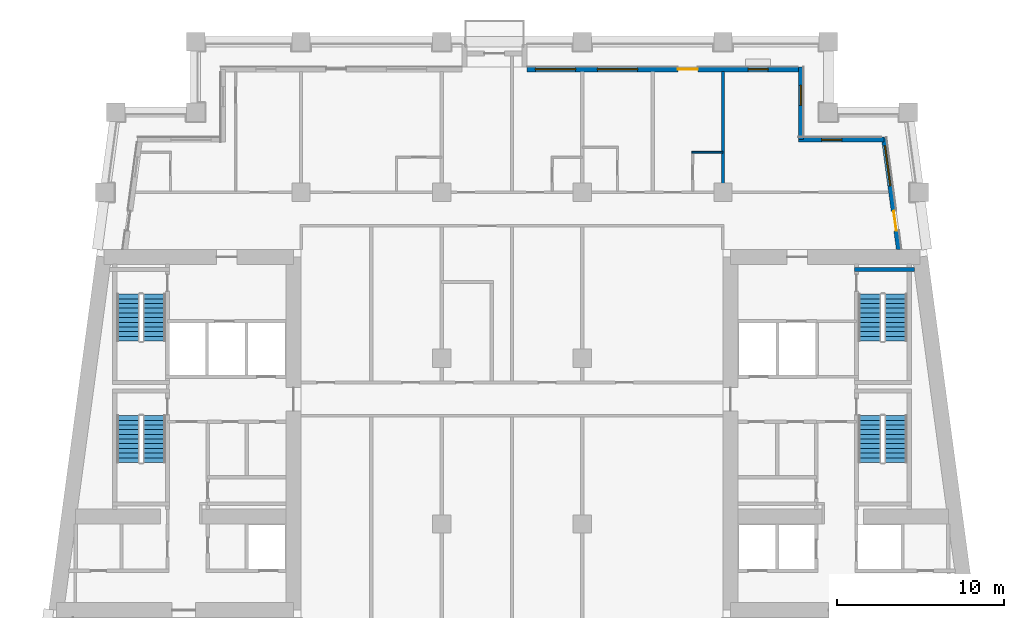
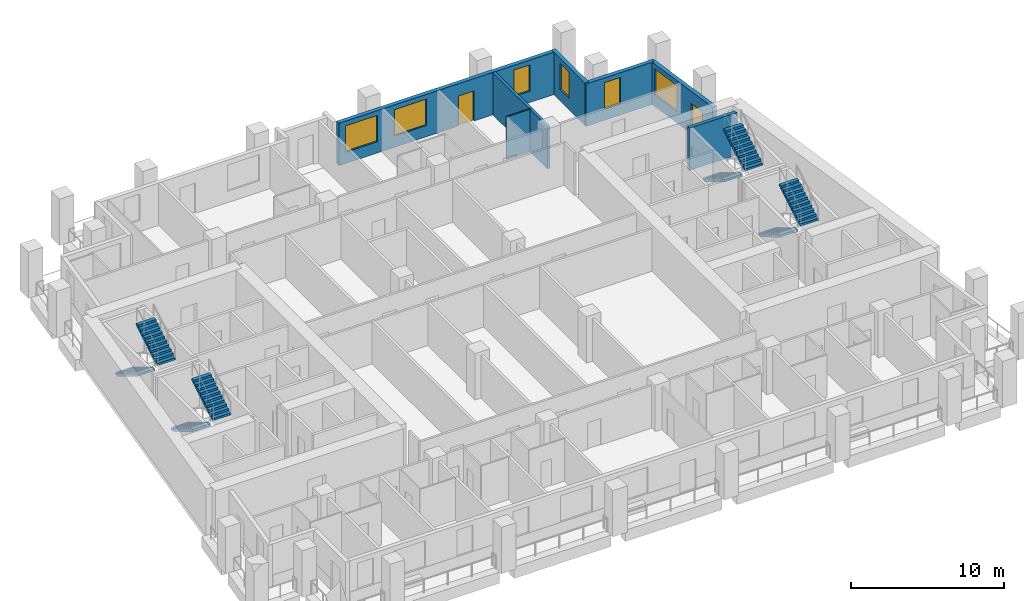
# One storey, part 8 of 13: 8 stair flights, 7 walls, 6 windows, 2 doors, 8 openings, 4 elements without a shape of their own.
"""IFC4 building model written with IfcOpenShell, lengths in metres."""

from ifc_helpers import new_model, si_unit, direction, frame, frame_2d, origin, place, context, subcontext, project, spatial, polyline, rectangle, outline, extrude, material, layer, layer_set, type_object, element, fill, aggregate, save


model = new_model("IFC4")

# Units and contexts
model_context = context("Model", 3, precision=1e-05, world=origin(), true_north=direction((0.0, 1.0)))
body_context = subcontext(model_context, "Body", "Model", "MODEL_VIEW")
ifc_project = project(units=[si_unit("LENGTHUNIT", "METRE"), si_unit("AREAUNIT", "SQUARE_METRE"), si_unit("VOLUMEUNIT", "CUBIC_METRE"), si_unit("PLANEANGLEUNIT", "RADIAN"), si_unit("MASSUNIT", "GRAM", prefix="KILO")], contexts=[model_context])

# Site, building, storey
site_placement = place(None, origin())
site = spatial("IfcSite", under=ifc_project, at=site_placement, CompositionType="ELEMENT")
building_placement = place(site_placement, origin())
building = spatial("IfcBuilding", under=site, at=building_placement, Name="Candeia Pilgrim Tower and Theatre", CompositionType="ELEMENT")
storey_placement = place(building_placement, frame((0.0, 0.0, 177.39990234375)))
storey = spatial("IfcBuildingStorey", under=building, at=storey_placement, Name="L42", CompositionType="ELEMENT", Elevation=177.39990234375)

# Wall, openings, door, window
ifc_material_1 = material(Name="Ceramic block masonry", Category="masonry")
ifc_layer_1 = layer(ifc_material_1, 0.300048828125)
ifc_layer_set_1 = layer_set([ifc_layer_1], Name="EW1 glazing-line wall 300")
wall_type_1 = type_object("IfcWallType", Name="EW1 glazing-line wall 300", PredefinedType="SOLIDWALL", material=ifc_layer_set_1)
wall_1_placement = place(storey_placement, frame((136.50439453125, 132.39990234375, 0.0), z_axis=(0.0, 0.0, 1.0), x_axis=(-0.133399697462, 0.99106231929, 0.0)))
wall_1 = element("IfcWall", 1, at=wall_1_placement, inside=storey, type_object=wall_type_1, Name="External wall L42-3.1", PredefinedType="SOLIDWALL", context=body_context, shape_type="SweptSolid", body=[
    extrude(rectangle(XDim=6.740478515625, YDim=0.300048828125, at=frame_2d((3.3701171875, 0.0))), origin(), (0.0, 0.0, 1.0), 3.380126953125),
])
opening_1_placement = place(wall_1_placement, frame((1.115234375, 0.0, 0.0)))
opening_1 = element("IfcOpeningElement", 2, at=opening_1_placement, cuts=wall_1, Name="Opening L42-ED404", PredefinedType="OPENING", context=body_context, shape_type="SweptSolid", body=[
    extrude(rectangle(XDim=1.199951171875, YDim=2.39990234375, at=frame_2d((0.60009765625, 1.199951171875))), frame((0.0, 0.16015625, 0.0), z_axis=(0.0, -1.0, 0.0), x_axis=(1.0, 0.0, 0.0)), (0.0, 0.0, 1.0), 0.320068359375),
])
opening_2_placement = place(wall_1_placement, frame((3.83544921875, 0.0, 0.89990234375)))
opening_2 = element("IfcOpeningElement", 3, at=opening_2_placement, cuts=wall_1, Name="Opening W-A", PredefinedType="OPENING", context=body_context, shape_type="SweptSolid", body=[
    extrude(rectangle(XDim=2.39990234375, YDim=2.10009765625, at=frame_2d((1.199951171875, 1.050048828125))), frame((0.0, 0.16015625, 0.0), z_axis=(0.0, -1.0, 0.0), x_axis=(1.0, 0.0, 0.0)), (0.0, 0.0, 1.0), 0.320068359375),
])
ifc_material_2 = material(Name="Aluminium framed glazed door", Category="aluminium")
door_type = type_object("IfcDoorType", Name="Loggia door 1200x2400", OperationType="DOUBLE_DOOR_SINGLE_SWING", PredefinedType="DOOR", material=ifc_material_2)
door_1_placement = place(opening_1_placement, origin())
door_1 = element("IfcDoor", 4, at=door_1_placement, inside=storey, type_object=door_type, Name="Loggia door L42-ED404", OperationType="DOUBLE_DOOR_SINGLE_SWING", OverallHeight=2.39990234375, OverallWidth=1.199951171875, PredefinedType="DOOR", context=body_context, shape_type="SweptSolid", body=[
    extrude(rectangle(XDim=1.199951171875, YDim=2.39990234375, at=frame_2d((0.60009765625, 1.199951171875))), frame((0.0, 0.02490234375, 0.0), z_axis=(0.0, -1.0, 0.0), x_axis=(1.0, 0.0, 0.0)), (0.0, 0.0, 1.0), 0.050048828125),
])
fill(opening_1, door_1)
ifc_material_3 = material(Name="Aluminium framed double glazing", Category="aluminium")
window_type_1 = type_object("IfcWindowType", Name="W-A window 2400x2100", PartitioningType="DOUBLE_PANEL_VERTICAL", PredefinedType="WINDOW", material=ifc_material_3)
window_1_placement = place(opening_2_placement, origin())
window_1 = element("IfcWindow", 5, at=window_1_placement, inside=storey, type_object=window_type_1, Name="Window W-A L42", OverallHeight=2.10009765625, OverallWidth=2.39990234375, PartitioningType="SINGLE_PANEL", PredefinedType="WINDOW", context=body_context, shape_type="SweptSolid", body=[
    extrude(rectangle(XDim=2.39990234375, YDim=2.10009765625, at=frame_2d((1.199951171875, 1.050048828125))), frame((0.0, 0.030029296875, 0.0), z_axis=(0.0, -1.0, 0.0), x_axis=(1.0, 0.0, 0.0)), (0.0, 0.0, 1.0), 0.06005859375),
])
fill(opening_2, window_1)

# Wall, opening, window
wall_2_placement = place(storey_placement, frame((135.62255859375, 138.949951171875, 0.0), z_axis=(0.0, 0.0, 1.0), x_axis=(-1.0, 0.0, 0.0)))
wall_2 = element("IfcWall", 6, at=wall_2_placement, inside=storey, type_object=wall_type_1, Name="External wall L42-4.0", PredefinedType="SOLIDWALL", context=body_context, shape_type="SweptSolid", body=[
    extrude(rectangle(XDim=5.12255859375, YDim=0.300048828125, at=frame_2d((2.561279296875, 0.0))), origin(), (0.0, 0.0, 1.0), 3.380126953125),
])
opening_3_placement = place(wall_2_placement, frame((2.522705078125, 0.0, 0.89990234375)))
opening_3 = element("IfcOpeningElement", 7, at=opening_3_placement, cuts=wall_2, Name="Opening W-B", PredefinedType="OPENING", context=body_context, shape_type="SweptSolid", body=[
    extrude(rectangle(XDim=1.199951171875, YDim=2.10009765625, at=frame_2d((0.60009765625, 1.050048828125))), frame((0.0, 0.16015625, 0.0), z_axis=(0.0, -1.0, 0.0), x_axis=(1.0, 0.0, 0.0)), (0.0, 0.0, 1.0), 0.320068359375),
])
window_type_2 = type_object("IfcWindowType", Name="W-B window 1200x2100", PartitioningType="SINGLE_PANEL", PredefinedType="WINDOW", material=ifc_material_3)
window_2_placement = place(opening_3_placement, origin())
window_2 = element("IfcWindow", 8, at=window_2_placement, inside=storey, type_object=window_type_2, Name="Window W-B L42", OverallHeight=2.10009765625, OverallWidth=1.199951171875, PartitioningType="SINGLE_PANEL", PredefinedType="WINDOW", context=body_context, shape_type="SweptSolid", body=[
    extrude(rectangle(XDim=1.199951171875, YDim=2.10009765625, at=frame_2d((0.60009765625, 1.050048828125))), frame((0.0, 0.030029296875, 0.0), z_axis=(0.0, -1.0, 0.0), x_axis=(1.0, 0.0, 0.0)), (0.0, 0.0, 1.0), 0.06005859375),
])
fill(opening_3, window_2)

wall_3_placement = place(storey_placement, frame((130.64990234375, 138.949951171875, 0.0), z_axis=(0.0, 0.0, 1.0), x_axis=(0.0, 1.0, 0.0)))
wall_3 = element("IfcWall", 9, at=wall_3_placement, inside=storey, type_object=wall_type_1, Name="External wall L42-5.0", PredefinedType="SOLIDWALL", context=body_context, shape_type="SweptSolid", body=[
    extrude(rectangle(XDim=4.35009765625, YDim=0.300048828125, at=frame_2d((2.175048828125, 0.0))), origin(), (0.0, 0.0, 1.0), 3.380126953125),
])
opening_4_placement = place(wall_3_placement, frame((2.050048828125, 0.0, 0.89990234375)))
opening_4 = element("IfcOpeningElement", 10, at=opening_4_placement, cuts=wall_3, Name="Opening W-B", PredefinedType="OPENING", context=body_context, shape_type="SweptSolid", body=[
    extrude(rectangle(XDim=1.199951171875, YDim=2.10009765625, at=frame_2d((0.60009765625, 1.050048828125))), frame((0.0, 0.16015625, 0.0), z_axis=(0.0, -1.0, 0.0), x_axis=(1.0, 0.0, 0.0)), (0.0, 0.0, 1.0), 0.320068359375),
])
window_3_placement = place(opening_4_placement, origin())
window_3 = element("IfcWindow", 11, at=window_3_placement, inside=storey, type_object=window_type_2, Name="Window W-B L42", OverallHeight=2.10009765625, OverallWidth=1.199951171875, PartitioningType="SINGLE_PANEL", PredefinedType="WINDOW", context=body_context, shape_type="SweptSolid", body=[
    extrude(rectangle(XDim=1.199951171875, YDim=2.10009765625, at=frame_2d((0.60009765625, 1.050048828125))), frame((0.0, 0.030029296875, 0.0), z_axis=(0.0, -1.0, 0.0), x_axis=(1.0, 0.0, 0.0)), (0.0, 0.0, 1.0), 0.06005859375),
])
fill(opening_4, window_3)

# Wall, openings, door, windows
wall_4_placement = place(storey_placement, frame((130.64990234375, 143.14990234375, 0.0), z_axis=(0.0, 0.0, 1.0), x_axis=(-1.0, 0.0, 0.0)))
wall_4 = element("IfcWall", 12, at=wall_4_placement, inside=storey, type_object=wall_type_1, Name="External wall L42-6.0", PredefinedType="SOLIDWALL", context=body_context, shape_type="SweptSolid", body=[
    extrude(rectangle(XDim=16.349853515625, YDim=0.300048828125, at=frame_2d((8.1748046875, 0.0))), origin(), (0.0, 0.0, 1.0), 3.380126953125),
])
opening_5_placement = place(wall_4_placement, frame((1.949951171875, 0.0, 0.89990234375)))
opening_5 = element("IfcOpeningElement", 13, at=opening_5_placement, cuts=wall_4, Name="Opening W-B", PredefinedType="OPENING", context=body_context, shape_type="SweptSolid", body=[
    extrude(rectangle(XDim=1.199951171875, YDim=2.10009765625, at=frame_2d((0.60009765625, 1.050048828125))), frame((0.0, 0.16015625, 0.0), z_axis=(0.0, -1.0, 0.0), x_axis=(1.0, 0.0, 0.0)), (0.0, 0.0, 1.0), 0.320068359375),
])
opening_6_placement = place(wall_4_placement, frame((6.14990234375, 0.0, 0.0)))
opening_6 = element("IfcOpeningElement", 14, at=opening_6_placement, cuts=wall_4, Name="Opening L42-ED405", PredefinedType="OPENING", context=body_context, shape_type="SweptSolid", body=[
    extrude(rectangle(XDim=1.199951171875, YDim=2.39990234375, at=frame_2d((0.60009765625, 1.199951171875))), frame((0.0, 0.16015625, 0.0), z_axis=(0.0, -1.0, 0.0), x_axis=(1.0, 0.0, 0.0)), (0.0, 0.0, 1.0), 0.320068359375),
])
opening_7_placement = place(wall_4_placement, frame((9.75, 0.0, 0.89990234375)))
opening_7 = element("IfcOpeningElement", 15, at=opening_7_placement, cuts=wall_4, Name="Opening W-A", PredefinedType="OPENING", context=body_context, shape_type="SweptSolid", body=[
    extrude(rectangle(XDim=2.39990234375, YDim=2.10009765625, at=frame_2d((1.199951171875, 1.050048828125))), frame((0.0, 0.16015625, 0.0), z_axis=(0.0, -1.0, 0.0), x_axis=(1.0, 0.0, 0.0)), (0.0, 0.0, 1.0), 0.320068359375),
])
opening_8_placement = place(wall_4_placement, frame((13.449951171875, 0.0, 0.89990234375)))
opening_8 = element("IfcOpeningElement", 16, at=opening_8_placement, cuts=wall_4, Name="Opening W-A", PredefinedType="OPENING", context=body_context, shape_type="SweptSolid", body=[
    extrude(rectangle(XDim=2.39990234375, YDim=2.10009765625, at=frame_2d((1.199951171875, 1.050048828125))), frame((0.0, 0.16015625, 0.0), z_axis=(0.0, -1.0, 0.0), x_axis=(1.0, 0.0, 0.0)), (0.0, 0.0, 1.0), 0.320068359375),
])
door_2_placement = place(opening_6_placement, origin())
door_2 = element("IfcDoor", 17, at=door_2_placement, inside=storey, type_object=door_type, Name="Loggia door L42-ED405", OperationType="DOUBLE_DOOR_SINGLE_SWING", OverallHeight=2.39990234375, OverallWidth=1.199951171875, PredefinedType="DOOR", context=body_context, shape_type="SweptSolid", body=[
    extrude(rectangle(XDim=1.199951171875, YDim=2.39990234375, at=frame_2d((0.60009765625, 1.199951171875))), frame((0.0, 0.02490234375, 0.0), z_axis=(0.0, -1.0, 0.0), x_axis=(1.0, 0.0, 0.0)), (0.0, 0.0, 1.0), 0.050048828125),
])
fill(opening_6, door_2)
window_4_placement = place(opening_7_placement, origin())
window_4 = element("IfcWindow", 18, at=window_4_placement, inside=storey, type_object=window_type_1, Name="Window W-A L42", OverallHeight=2.10009765625, OverallWidth=2.39990234375, PartitioningType="SINGLE_PANEL", PredefinedType="WINDOW", context=body_context, shape_type="SweptSolid", body=[
    extrude(rectangle(XDim=2.39990234375, YDim=2.10009765625, at=frame_2d((1.199951171875, 1.050048828125))), frame((0.0, 0.030029296875, 0.0), z_axis=(0.0, -1.0, 0.0), x_axis=(1.0, 0.0, 0.0)), (0.0, 0.0, 1.0), 0.06005859375),
])
fill(opening_7, window_4)
window_5_placement = place(opening_8_placement, origin())
window_5 = element("IfcWindow", 19, at=window_5_placement, inside=storey, type_object=window_type_1, Name="Window W-A L42", OverallHeight=2.10009765625, OverallWidth=2.39990234375, PartitioningType="SINGLE_PANEL", PredefinedType="WINDOW", context=body_context, shape_type="SweptSolid", body=[
    extrude(rectangle(XDim=2.39990234375, YDim=2.10009765625, at=frame_2d((1.199951171875, 1.050048828125))), frame((0.0, 0.030029296875, 0.0), z_axis=(0.0, -1.0, 0.0), x_axis=(1.0, 0.0, 0.0)), (0.0, 0.0, 1.0), 0.06005859375),
])
fill(opening_8, window_5)
window_6_placement = place(opening_5_placement, origin())
window_6 = element("IfcWindow", 20, at=window_6_placement, inside=storey, type_object=window_type_2, Name="Window W-B L42", OverallHeight=2.10009765625, OverallWidth=1.199951171875, PartitioningType="SINGLE_PANEL", PredefinedType="WINDOW", context=body_context, shape_type="SweptSolid", body=[
    extrude(rectangle(XDim=1.199951171875, YDim=2.10009765625, at=frame_2d((0.60009765625, 1.050048828125))), frame((0.0, 0.030029296875, 0.0), z_axis=(0.0, -1.0, 0.0), x_axis=(1.0, 0.0, 0.0)), (0.0, 0.0, 1.0), 0.06005859375),
])
fill(opening_5, window_6)

# Walls
ifc_material_4 = material(Name="Gypsum board partition on steel studs", Category="steel")
ifc_layer_2 = layer(ifc_material_4, 0.10009765625)
ifc_layer_set_2 = layer_set([ifc_layer_2], Name="PW-100 room partition")
wall_type_2 = type_object("IfcWallType", Name="PW-100 room partition", PredefinedType="PARTITIONING", material=ifc_layer_set_2)
wall_5_placement = place(storey_placement, frame((124.14990234375, 138.199951171875, 0.0), z_axis=(0.0, 0.0, 1.0), x_axis=(1.0, 0.0, 0.0)))
element("IfcWall", 21, at=wall_5_placement, inside=storey, type_object=wall_type_2, Name="Room partition L42-049", PredefinedType="PARTITIONING", context=body_context, shape_type="SweptSolid", body=[
    extrude(rectangle(XDim=1.85009765625, YDim=0.10009765625, at=frame_2d((0.925048828125, 0.0))), origin(), (0.0, 0.0, 1.0), 3.380126953125),
])
ifc_layer_3 = layer(ifc_material_4, 0.199951171875)
ifc_layer_set_3 = layer_set([ifc_layer_3], Name="PW-200 party wall")
wall_type_3 = type_object("IfcWallType", Name="PW-200 party wall", PredefinedType="PARTITIONING", material=ifc_layer_set_3)
wall_6_placement = place(storey_placement, frame((126.0, 135.875, 0.0), z_axis=(0.0, 0.0, 1.0), x_axis=(0.0, 1.0, 0.0)))
element("IfcWall", 22, at=wall_6_placement, inside=storey, type_object=wall_type_3, Name="Party wall L42-105", PredefinedType="PARTITIONING", context=body_context, shape_type="SweptSolid", body=[
    extrude(rectangle(XDim=7.135009765625, YDim=0.199951171875, at=frame_2d((3.5673828125, 0.0))), origin(), (0.0, 0.0, 1.0), 3.380126953125),
])
ifc_material_5 = material(Name="Concrete C40/50", Category="concrete")
ifc_layer_4 = layer(ifc_material_5, 0.25)
ifc_layer_set_4 = layer_set([ifc_layer_4], Name="SW-250 stair wall")
wall_type_4 = type_object("IfcWallType", Name="SW-250 stair wall", PredefinedType="PARTITIONING", material=ifc_layer_set_4)
wall_7_placement = place(storey_placement, frame((133.847900390625, 131.199951171875, 0.0), z_axis=(0.0, 0.0, 1.0), x_axis=(1.0, 0.0, 0.0)))
element("IfcWall", 23, at=wall_7_placement, inside=storey, type_object=wall_type_4, Name="Stair wall L42-043", PredefinedType="PARTITIONING", context=body_context, shape_type="SweptSolid", body=[
    extrude(rectangle(XDim=3.604736328125, YDim=0.25, at=frame_2d((1.80224609375, 0.0))), origin(), (0.0, 0.0, 1.0), 3.380126953125),
])

# Stair, stair flights
stair_type = type_object("IfcStairType", Name="ST-TWR dog-leg escape stair", PredefinedType="HALF_TURN_STAIR", material=ifc_material_5)
stair_1_placement = place(storey_placement, origin())
stair_1 = element("IfcStair", 24, at=stair_1_placement, inside=storey, type_object=stair_type, Name="L42 Escape stair ST1", PredefinedType="HALF_TURN_STAIR")
stair_flight_type = type_object("IfcStairFlightType", Name="SFL-RC stair flight", PredefinedType="STRAIGHT", material=ifc_material_5)
stair_flight_1_placement = place(storey_placement, frame((90.47705078125, 122.47509765625, 0.0), z_axis=(0.0, 0.0, 1.0), x_axis=(0.0, -1.0, 0.0)))
stair_flight_1 = element("IfcStairFlight", 25, at=stair_flight_1_placement, type_object=stair_flight_type, Name="ST1 flight 1", NumberOfRisers=11, NumberOfTreads=10, PredefinedType="STRAIGHT", RiserHeight=0.168181818, TreadLength=0.28, context=body_context, shape_type="SweptSolid", body=[
    extrude(outline(polyline([(0.0, 0.0), (0.0, 0.168212890625), (0.280029296875, 0.168212890625), (0.280029296875, 0.33642578125), (0.56005859375, 0.33642578125), (0.56005859375, 0.504638671875), (0.840087890625, 0.504638671875), (0.840087890625, 0.672607421875), (1.1201171875, 0.672607421875), (1.1201171875, 0.8408203125), (1.39990234375, 0.8408203125), (1.39990234375, 1.009033203125), (1.679931640625, 1.009033203125), (1.679931640625, 1.17724609375), (1.9599609375, 1.17724609375), (1.9599609375, 1.345458984375), (2.239990234375, 1.345458984375), (2.239990234375, 1.513671875), (2.52001953125, 1.513671875), (2.52001953125, 1.681884765625), (2.800048828125, 1.681884765625), (2.800048828125, 1.85009765625), (2.800048828125, 1.5068359375), (0.291015625, 0.0), (0.0, 0.0)])), frame((0.0, 0.675048828125, 0.0), z_axis=(0.0, -1.0, 0.0), x_axis=(1.0, 0.0, 0.0)), (0.0, 0.0, 1.0), 1.35009765625),
])
stair_flight_2_placement = place(storey_placement, frame((92.027099609375, 119.675048828125, 1.85009765625), z_axis=(0.0, 0.0, 1.0), x_axis=(0.0, 1.0, 0.0)))
stair_flight_2 = element("IfcStairFlight", 26, at=stair_flight_2_placement, type_object=stair_flight_type, Name="ST1 flight 2", NumberOfRisers=11, NumberOfTreads=10, PredefinedType="STRAIGHT", RiserHeight=0.168181818, TreadLength=0.28, context=body_context, shape_type="SweptSolid", body=[
    extrude(outline(polyline([(0.0, 0.0), (0.0, 0.168212890625), (0.280029296875, 0.168212890625), (0.280029296875, 0.33642578125), (0.56005859375, 0.33642578125), (0.56005859375, 0.504638671875), (0.840087890625, 0.504638671875), (0.840087890625, 0.672607421875), (1.1201171875, 0.672607421875), (1.1201171875, 0.8408203125), (1.39990234375, 0.8408203125), (1.39990234375, 1.009033203125), (1.679931640625, 1.009033203125), (1.679931640625, 1.17724609375), (1.9599609375, 1.17724609375), (1.9599609375, 1.345458984375), (2.239990234375, 1.345458984375), (2.239990234375, 1.513671875), (2.52001953125, 1.513671875), (2.52001953125, 1.681884765625), (2.800048828125, 1.681884765625), (2.800048828125, 1.85009765625), (2.800048828125, 1.5068359375), (0.291015625, 0.0), (0.0, 0.0)])), frame((0.0, 0.675048828125, 0.0), z_axis=(0.0, -1.0, 0.0), x_axis=(1.0, 0.0, 0.0)), (0.0, 0.0, 1.0), 1.35009765625),
])
aggregate(stair_1, [stair_flight_1, stair_flight_2])

stair_2_placement = place(storey_placement, origin())
stair_2 = element("IfcStair", 27, at=stair_2_placement, inside=storey, type_object=stair_type, Name="L42 Escape stair ST2", PredefinedType="HALF_TURN_STAIR")
stair_flight_3_placement = place(storey_placement, frame((90.47705078125, 129.72509765625, 0.0), z_axis=(0.0, 0.0, 1.0), x_axis=(0.0, -1.0, 0.0)))
stair_flight_3 = element("IfcStairFlight", 28, at=stair_flight_3_placement, type_object=stair_flight_type, Name="ST2 flight 1", NumberOfRisers=11, NumberOfTreads=10, PredefinedType="STRAIGHT", RiserHeight=0.168181818, TreadLength=0.28, context=body_context, shape_type="SweptSolid", body=[
    extrude(outline(polyline([(0.0, 0.0), (0.0, 0.168212890625), (0.280029296875, 0.168212890625), (0.280029296875, 0.33642578125), (0.56005859375, 0.33642578125), (0.56005859375, 0.504638671875), (0.840087890625, 0.504638671875), (0.840087890625, 0.672607421875), (1.1201171875, 0.672607421875), (1.1201171875, 0.8408203125), (1.39990234375, 0.8408203125), (1.39990234375, 1.009033203125), (1.679931640625, 1.009033203125), (1.679931640625, 1.17724609375), (1.9599609375, 1.17724609375), (1.9599609375, 1.345458984375), (2.239990234375, 1.345458984375), (2.239990234375, 1.513671875), (2.52001953125, 1.513671875), (2.52001953125, 1.681884765625), (2.800048828125, 1.681884765625), (2.800048828125, 1.85009765625), (2.800048828125, 1.5068359375), (0.291015625, 0.0), (0.0, 0.0)])), frame((0.0, 0.675048828125, 0.0), z_axis=(0.0, -1.0, 0.0), x_axis=(1.0, 0.0, 0.0)), (0.0, 0.0, 1.0), 1.35009765625),
])
stair_flight_4_placement = place(storey_placement, frame((92.027099609375, 126.925048828125, 1.85009765625), z_axis=(0.0, 0.0, 1.0), x_axis=(0.0, 1.0, 0.0)))
stair_flight_4 = element("IfcStairFlight", 29, at=stair_flight_4_placement, type_object=stair_flight_type, Name="ST2 flight 2", NumberOfRisers=11, NumberOfTreads=10, PredefinedType="STRAIGHT", RiserHeight=0.168181818, TreadLength=0.28, context=body_context, shape_type="SweptSolid", body=[
    extrude(outline(polyline([(0.0, 0.0), (0.0, 0.168212890625), (0.280029296875, 0.168212890625), (0.280029296875, 0.33642578125), (0.56005859375, 0.33642578125), (0.56005859375, 0.504638671875), (0.840087890625, 0.504638671875), (0.840087890625, 0.672607421875), (1.1201171875, 0.672607421875), (1.1201171875, 0.8408203125), (1.39990234375, 0.8408203125), (1.39990234375, 1.009033203125), (1.679931640625, 1.009033203125), (1.679931640625, 1.17724609375), (1.9599609375, 1.17724609375), (1.9599609375, 1.345458984375), (2.239990234375, 1.345458984375), (2.239990234375, 1.513671875), (2.52001953125, 1.513671875), (2.52001953125, 1.681884765625), (2.800048828125, 1.681884765625), (2.800048828125, 1.85009765625), (2.800048828125, 1.5068359375), (0.291015625, 0.0), (0.0, 0.0)])), frame((0.0, 0.675048828125, 0.0), z_axis=(0.0, -1.0, 0.0), x_axis=(1.0, 0.0, 0.0)), (0.0, 0.0, 1.0), 1.35009765625),
])
aggregate(stair_2, [stair_flight_3, stair_flight_4])

stair_3_placement = place(storey_placement, origin())
stair_3 = element("IfcStair", 30, at=stair_3_placement, inside=storey, type_object=stair_type, Name="L42 Escape stair ST3", PredefinedType="HALF_TURN_STAIR")
stair_flight_5_placement = place(storey_placement, frame((134.77294921875, 122.47509765625, 0.0), z_axis=(0.0, 0.0, 1.0), x_axis=(0.0, -1.0, 0.0)))
stair_flight_5 = element("IfcStairFlight", 31, at=stair_flight_5_placement, type_object=stair_flight_type, Name="ST3 flight 1", NumberOfRisers=11, NumberOfTreads=10, PredefinedType="STRAIGHT", RiserHeight=0.168181818, TreadLength=0.28, context=body_context, shape_type="SweptSolid", body=[
    extrude(outline(polyline([(0.0, 0.0), (0.0, 0.168212890625), (0.280029296875, 0.168212890625), (0.280029296875, 0.33642578125), (0.56005859375, 0.33642578125), (0.56005859375, 0.504638671875), (0.840087890625, 0.504638671875), (0.840087890625, 0.672607421875), (1.1201171875, 0.672607421875), (1.1201171875, 0.8408203125), (1.39990234375, 0.8408203125), (1.39990234375, 1.009033203125), (1.679931640625, 1.009033203125), (1.679931640625, 1.17724609375), (1.9599609375, 1.17724609375), (1.9599609375, 1.345458984375), (2.239990234375, 1.345458984375), (2.239990234375, 1.513671875), (2.52001953125, 1.513671875), (2.52001953125, 1.681884765625), (2.800048828125, 1.681884765625), (2.800048828125, 1.85009765625), (2.800048828125, 1.5068359375), (0.291015625, 0.0), (0.0, 0.0)])), frame((0.0, 0.675048828125, 0.0), z_axis=(0.0, -1.0, 0.0), x_axis=(1.0, 0.0, 0.0)), (0.0, 0.0, 1.0), 1.35009765625),
])
stair_flight_6_placement = place(storey_placement, frame((136.322998046875, 119.675048828125, 1.85009765625), z_axis=(0.0, 0.0, 1.0), x_axis=(0.0, 1.0, 0.0)))
stair_flight_6 = element("IfcStairFlight", 32, at=stair_flight_6_placement, type_object=stair_flight_type, Name="ST3 flight 2", NumberOfRisers=11, NumberOfTreads=10, PredefinedType="STRAIGHT", RiserHeight=0.168181818, TreadLength=0.28, context=body_context, shape_type="SweptSolid", body=[
    extrude(outline(polyline([(0.0, 0.0), (0.0, 0.168212890625), (0.280029296875, 0.168212890625), (0.280029296875, 0.33642578125), (0.56005859375, 0.33642578125), (0.56005859375, 0.504638671875), (0.840087890625, 0.504638671875), (0.840087890625, 0.672607421875), (1.1201171875, 0.672607421875), (1.1201171875, 0.8408203125), (1.39990234375, 0.8408203125), (1.39990234375, 1.009033203125), (1.679931640625, 1.009033203125), (1.679931640625, 1.17724609375), (1.9599609375, 1.17724609375), (1.9599609375, 1.345458984375), (2.239990234375, 1.345458984375), (2.239990234375, 1.513671875), (2.52001953125, 1.513671875), (2.52001953125, 1.681884765625), (2.800048828125, 1.681884765625), (2.800048828125, 1.85009765625), (2.800048828125, 1.5068359375), (0.291015625, 0.0), (0.0, 0.0)])), frame((0.0, 0.675048828125, 0.0), z_axis=(0.0, -1.0, 0.0), x_axis=(1.0, 0.0, 0.0)), (0.0, 0.0, 1.0), 1.35009765625),
])
aggregate(stair_3, [stair_flight_5, stair_flight_6])

stair_4_placement = place(storey_placement, origin())
stair_4 = element("IfcStair", 33, at=stair_4_placement, inside=storey, type_object=stair_type, Name="L42 Escape stair ST4", PredefinedType="HALF_TURN_STAIR")
stair_flight_7_placement = place(storey_placement, frame((134.77294921875, 129.72509765625, 0.0), z_axis=(0.0, 0.0, 1.0), x_axis=(0.0, -1.0, 0.0)))
stair_flight_7 = element("IfcStairFlight", 34, at=stair_flight_7_placement, type_object=stair_flight_type, Name="ST4 flight 1", NumberOfRisers=11, NumberOfTreads=10, PredefinedType="STRAIGHT", RiserHeight=0.168181818, TreadLength=0.28, context=body_context, shape_type="SweptSolid", body=[
    extrude(outline(polyline([(0.0, 0.0), (0.0, 0.168212890625), (0.280029296875, 0.168212890625), (0.280029296875, 0.33642578125), (0.56005859375, 0.33642578125), (0.56005859375, 0.504638671875), (0.840087890625, 0.504638671875), (0.840087890625, 0.672607421875), (1.1201171875, 0.672607421875), (1.1201171875, 0.8408203125), (1.39990234375, 0.8408203125), (1.39990234375, 1.009033203125), (1.679931640625, 1.009033203125), (1.679931640625, 1.17724609375), (1.9599609375, 1.17724609375), (1.9599609375, 1.345458984375), (2.239990234375, 1.345458984375), (2.239990234375, 1.513671875), (2.52001953125, 1.513671875), (2.52001953125, 1.681884765625), (2.800048828125, 1.681884765625), (2.800048828125, 1.85009765625), (2.800048828125, 1.5068359375), (0.291015625, 0.0), (0.0, 0.0)])), frame((0.0, 0.675048828125, 0.0), z_axis=(0.0, -1.0, 0.0), x_axis=(1.0, 0.0, 0.0)), (0.0, 0.0, 1.0), 1.35009765625),
])
stair_flight_8_placement = place(storey_placement, frame((136.322998046875, 126.925048828125, 1.85009765625), z_axis=(0.0, 0.0, 1.0), x_axis=(0.0, 1.0, 0.0)))
stair_flight_8 = element("IfcStairFlight", 35, at=stair_flight_8_placement, type_object=stair_flight_type, Name="ST4 flight 2", NumberOfRisers=11, NumberOfTreads=10, PredefinedType="STRAIGHT", RiserHeight=0.168181818, TreadLength=0.28, context=body_context, shape_type="SweptSolid", body=[
    extrude(outline(polyline([(0.0, 0.0), (0.0, 0.168212890625), (0.280029296875, 0.168212890625), (0.280029296875, 0.33642578125), (0.56005859375, 0.33642578125), (0.56005859375, 0.504638671875), (0.840087890625, 0.504638671875), (0.840087890625, 0.672607421875), (1.1201171875, 0.672607421875), (1.1201171875, 0.8408203125), (1.39990234375, 0.8408203125), (1.39990234375, 1.009033203125), (1.679931640625, 1.009033203125), (1.679931640625, 1.17724609375), (1.9599609375, 1.17724609375), (1.9599609375, 1.345458984375), (2.239990234375, 1.345458984375), (2.239990234375, 1.513671875), (2.52001953125, 1.513671875), (2.52001953125, 1.681884765625), (2.800048828125, 1.681884765625), (2.800048828125, 1.85009765625), (2.800048828125, 1.5068359375), (0.291015625, 0.0), (0.0, 0.0)])), frame((0.0, 0.675048828125, 0.0), z_axis=(0.0, -1.0, 0.0), x_axis=(1.0, 0.0, 0.0)), (0.0, 0.0, 1.0), 1.35009765625),
])
aggregate(stair_4, [stair_flight_7, stair_flight_8])

save(model, "model.ifc")
